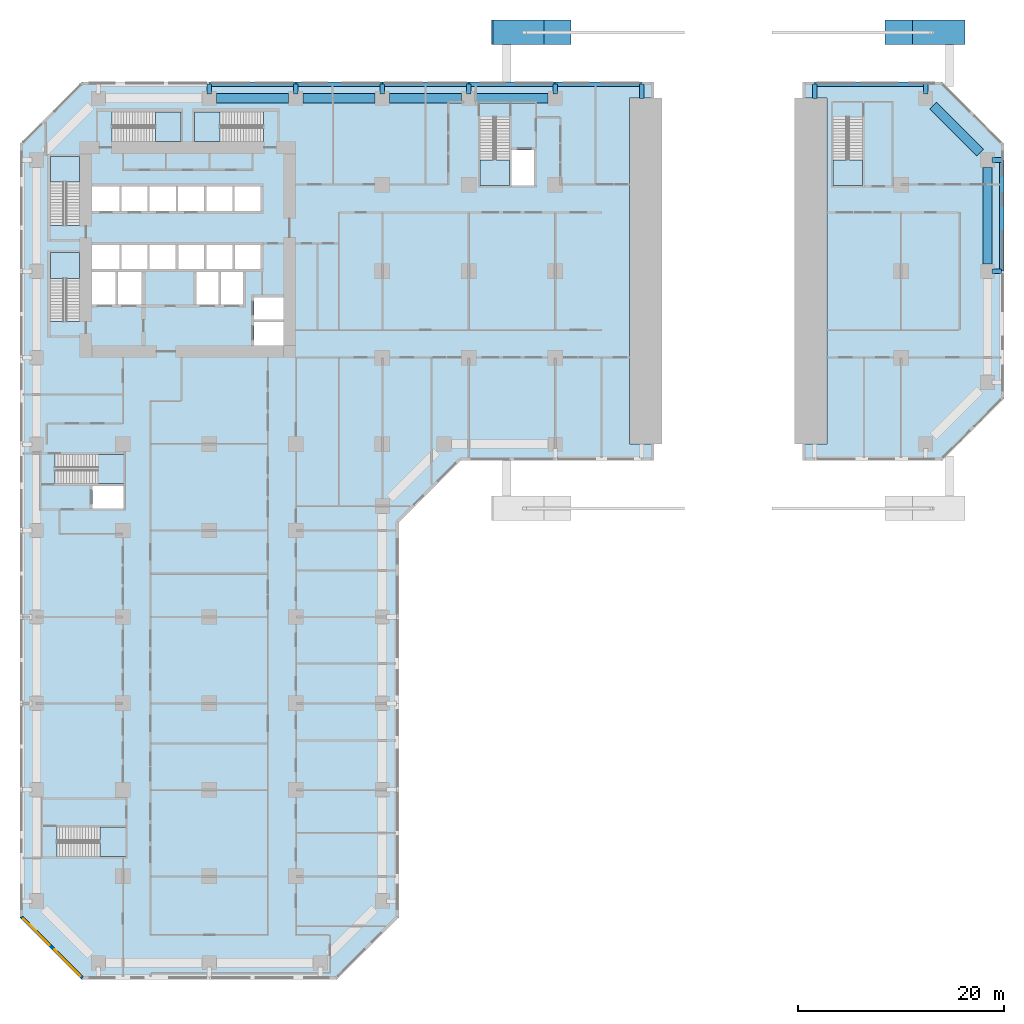
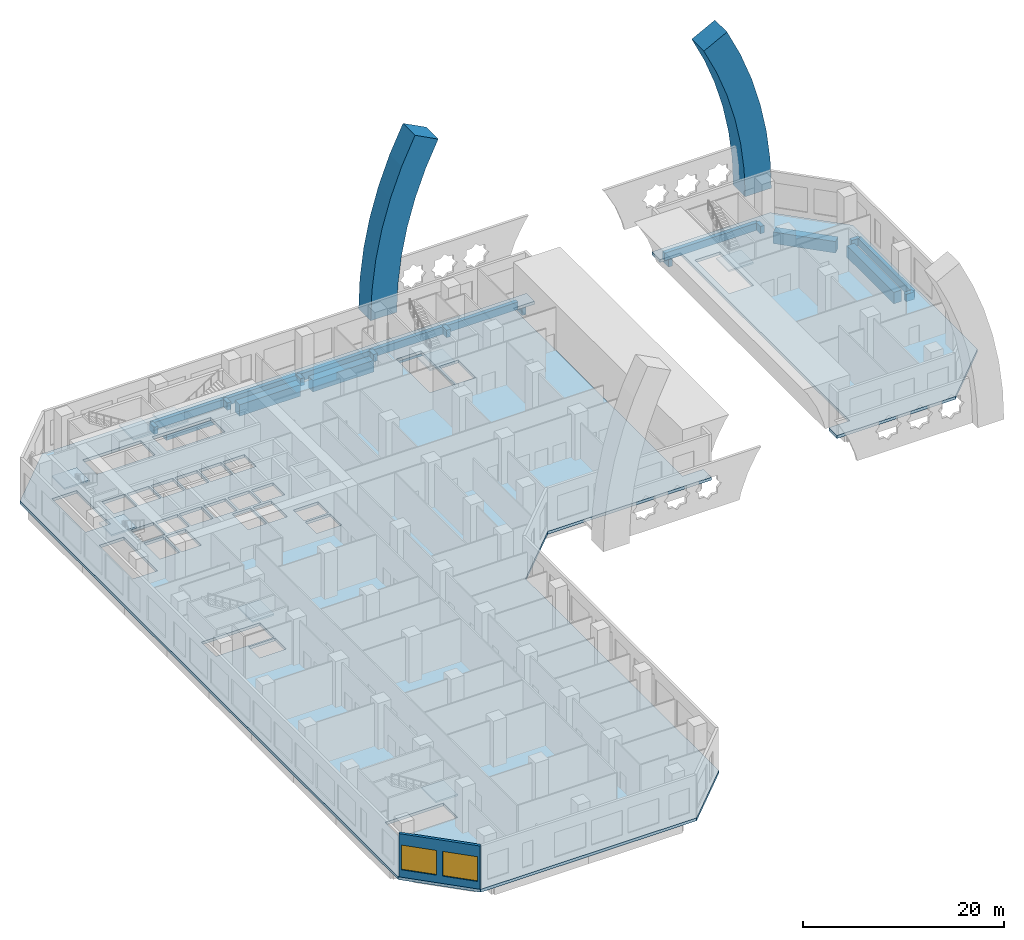
# One storey, part 2 of 19: 23 beams, 10 slabs, 2 members, 2 windows, 1 wall, 2 openings, 8 elements without a shape of their own.
"""IFC4 building model written with IfcOpenShell, lengths in metres."""

from ifc_helpers import new_model, si_unit, direction, frame, frame_2d, origin, origin_2d, place, context, subcontext, project, spatial, polyline, rectangle, outline, extrude, material, layer, layer_set, material_profile, profile_set, type_object, element, fill, aggregate, save


model = new_model("IFC4")

# Units and contexts
model_context = context("Model", 3, precision=1e-05, world=origin(), true_north=direction((0.0, 1.0)))
body_context = subcontext(model_context, "Body", "Model", "MODEL_VIEW")
ifc_project = project(units=[si_unit("LENGTHUNIT", "METRE"), si_unit("AREAUNIT", "SQUARE_METRE"), si_unit("VOLUMEUNIT", "CUBIC_METRE"), si_unit("PLANEANGLEUNIT", "RADIAN"), si_unit("MASSUNIT", "GRAM", prefix="KILO")], contexts=[model_context])

# Site, building, storey
site_placement = place(None, origin())
site = spatial("IfcSite", under=ifc_project, at=site_placement, CompositionType="ELEMENT")
building_placement = place(site_placement, origin())
building = spatial("IfcBuilding", under=site, at=building_placement, Name="Kawkab Arch Medical Tower", CompositionType="ELEMENT")
storey_placement = place(building_placement, frame((0.0, 0.0, 12.60009765625)))
storey = spatial("IfcBuildingStorey", under=building, at=storey_placement, Name="L03", CompositionType="ELEMENT", Elevation=12.60009765625)

# Members
ifc_material_1 = material(Name="Concrete C60/75", Category="concrete")
member_type = type_object("IfcMemberType", Name="Arch rib segment 3000 C60/75", PredefinedType="STRUT", material=ifc_material_1)
placement_1 = place(storey_placement, frame((0.0, 7.60009765625, -12.60009765625), z_axis=(0.0, -1.0, 0.0), x_axis=(1.0, 0.0, 0.0)))
element("IfcMember", 1, at=placement_1, inside=storey, type_object=member_type, Name="Portal arch rib NW", PredefinedType="STRUT", context=body_context, shape_type="SweptSolid", body=[
    extrude(outline(polyline([(47.199951171875, 12.60009765625), (47.33544921875, 15.94970703125), (47.73779296875, 19.27783203125), (48.40673828125, 22.562744140625), (49.33642578125, 25.7841796875), (50.52099609375, 28.920654296875), (51.953369140625, 31.95166015625), (49.29248046875, 33.34228515625), (47.757080078125, 30.093505859375), (46.487548828125, 26.731689453125), (45.4912109375, 23.279296875), (44.774169921875, 19.758056640625), (44.342529296875, 16.190185546875), (44.199951171875, 12.60009765625), (47.199951171875, 12.60009765625)])), origin(), (0.0, 0.0, 1.0), 2.400146484375),
])
element("IfcMember", 2, at=placement_1, inside=storey, type_object=member_type, Name="Portal arch rib NE", PredefinedType="STRUT", context=body_context, shape_type="SweptSolid", body=[
    extrude(outline(polyline([(82.446533203125, 31.95166015625), (83.879150390625, 28.920654296875), (85.0634765625, 25.7841796875), (85.9931640625, 22.562744140625), (86.662109375, 19.27783203125), (87.064697265625, 15.94970703125), (87.199951171875, 12.60009765625), (90.199951171875, 12.60009765625), (90.057373046875, 16.190185546875), (89.6259765625, 19.758056640625), (88.90869140625, 23.279296875), (87.91259765625, 26.731689453125), (86.642822265625, 30.093505859375), (85.107421875, 33.34228515625), (82.446533203125, 31.95166015625)])), origin(), (0.0, 0.0, 1.0), 2.400146484375),
])

# Beams
ifc_material_2 = material(Name="Concrete C60/75", Category="concrete")
ifc_material_profile_1 = material_profile(ifc_material_2, rectangle(XDim=0.449951171875, YDim=0.89990234375, at=origin_2d()), Name="RC 450x900")
ifc_profile_set_1 = profile_set([ifc_material_profile_1], Name="Concrete C60/75")
beam_type_1 = type_object("IfcBeamType", Name="Podium edge beam RC 450x900 C60/75", PredefinedType="BEAM", material=ifc_profile_set_1)
beam_1_placement = place(storey_placement, frame((58.800048828125, 1.375, -0.800048828125), z_axis=(-1.0, 0.0, 0.0), x_axis=(0.0, -1.0, 0.0)))
element("IfcBeam", 3, at=beam_1_placement, inside=storey, type_object=beam_type_1, Name="Podium edge beam L03 R04.1", PredefinedType="BEAM", context=body_context, shape_type="SweptSolid", body=[
    extrude(rectangle(XDim=0.449951171875, YDim=0.89990234375, at=origin_2d()), origin(), (0.0, 0.0, 1.0), 8.400146484375),
])
for number, where, z_axis, x_axis, name in (
    (4, (50.39990234375, 1.375, -0.800048828125), (-1.0, 0.0, 0.0), (0.0, -1.0, 0.0), "Podium edge beam L03 R04.2"),
    (5, (42.0, 1.375, -0.800048828125), (-1.0, 0.0, 0.0), (0.0, -1.0, 0.0), "Podium edge beam L03 R04.3"),
):
    element("IfcBeam", number, at=place(storey_placement, frame(where, z_axis=z_axis, x_axis=x_axis)), inside=storey, type_object=beam_type_1, Name=name, PredefinedType="BEAM", context=body_context, shape_type="SweptSolid", body=[
        extrude(rectangle(XDim=0.449951171875, YDim=0.89990234375, at=origin_2d()), origin(), (0.0, 0.0, 1.0), 8.39990234375),
    ])
beam_2_placement = place(storey_placement, frame((33.60009765625, 1.375, -0.800048828125), z_axis=(-1.0, 0.0, 0.0), x_axis=(0.0, -1.0, 0.0)))
element("IfcBeam", 6, at=beam_2_placement, inside=storey, type_object=beam_type_1, Name="Podium edge beam L03 R04.4", PredefinedType="BEAM", context=body_context, shape_type="SweptSolid", body=[
    extrude(rectangle(XDim=0.449951171875, YDim=0.89990234375, at=origin_2d()), origin(), (0.0, 0.0, 1.0), 8.400146484375),
])
beam_3_placement = place(storey_placement, frame((25.199951171875, 1.375, -0.800048828125), z_axis=(-1.0, 0.0, 0.0), x_axis=(0.0, -1.0, 0.0)))
element("IfcBeam", 7, at=beam_3_placement, inside=storey, type_object=beam_type_1, Name="Podium edge beam L03 R04.5", PredefinedType="BEAM", context=body_context, shape_type="SweptSolid", body=[
    extrude(rectangle(XDim=0.449951171875, YDim=0.89990234375, at=origin_2d()), origin(), (0.0, 0.0, 1.0), 8.39990234375),
])
beam_4_placement = place(storey_placement, frame((58.800048828125, -0.010009765625, -0.800048828125), z_axis=(0.0, 1.0, 0.0), x_axis=(-1.0, 0.0, 0.0)))
element("IfcBeam", 8, at=beam_4_placement, inside=storey, type_object=beam_type_1, Name="Podium cantilever beam L03 R04.1", PredefinedType="BEAM", context=body_context, shape_type="SweptSolid", body=[
    extrude(rectangle(XDim=0.449951171875, YDim=0.89990234375, at=origin_2d()), origin(), (0.0, 0.0, 1.0), 1.385009765625),
])
for number, where, z_axis, x_axis, name in (
    (9, (50.39990234375, 0.425048828125, -0.800048828125), (0.0, 1.0, 0.0), (-1.0, 0.0, 0.0), "Podium cantilever beam L03 R04.2"),
    (10, (42.0, 0.425048828125, -0.800048828125), (0.0, 1.0, 0.0), (-1.0, 0.0, 0.0), "Podium cantilever beam L03 R04.3"),
    (11, (33.60009765625, 0.425048828125, -0.800048828125), (0.0, 1.0, 0.0), (-1.0, 0.0, 0.0), "Podium cantilever beam L03 R04.4"),
    (12, (25.199951171875, 0.425048828125, -0.800048828125), (0.0, 1.0, 0.0), (-1.0, 0.0, 0.0), "Podium cantilever beam L03 R04.5"),
    (13, (16.800048828125, 0.425048828125, -0.800048828125), (0.0, 1.0, 0.0), (-1.0, 0.0, 0.0), "Podium cantilever beam L03 R04.6"),
):
    element("IfcBeam", number, at=place(storey_placement, frame(where, z_axis=z_axis, x_axis=x_axis)), inside=storey, type_object=beam_type_1, Name=name, PredefinedType="BEAM", context=body_context, shape_type="SweptSolid", body=[
        extrude(rectangle(XDim=0.449951171875, YDim=0.89990234375, at=origin_2d()), origin(), (0.0, 0.0, 1.0), 0.949951171875),
    ])
beam_5_placement = place(storey_placement, frame((86.39990234375, 1.375, -0.800048828125), z_axis=(-1.0, 0.0, 0.0), x_axis=(0.0, -1.0, 0.0)))
element("IfcBeam", 14, at=beam_5_placement, inside=storey, type_object=beam_type_1, Name="Podium edge beam L03 R12.1", PredefinedType="BEAM", context=body_context, shape_type="SweptSolid", body=[
    extrude(rectangle(XDim=0.449951171875, YDim=0.89990234375, at=origin_2d()), origin(), (0.0, 0.0, 1.0), 10.7998046875),
])
beam_6_placement = place(storey_placement, frame((86.39990234375, 0.425048828125, -0.800048828125), z_axis=(0.0, 1.0, 0.0), x_axis=(-1.0, 0.0, 0.0)))
element("IfcBeam", 15, at=beam_6_placement, inside=storey, type_object=beam_type_1, Name="Podium cantilever beam L03 R12.1", PredefinedType="BEAM", context=body_context, shape_type="SweptSolid", body=[
    extrude(rectangle(XDim=0.449951171875, YDim=0.89990234375, at=origin_2d()), origin(), (0.0, 0.0, 1.0), 0.949951171875),
])
beam_7_placement = place(storey_placement, frame((75.60009765625, -0.010009765625, -0.800048828125), z_axis=(0.0, 1.0, 0.0), x_axis=(-1.0, 0.0, 0.0)))
element("IfcBeam", 16, at=beam_7_placement, inside=storey, type_object=beam_type_1, Name="Podium cantilever beam L03 R12.2", PredefinedType="BEAM", context=body_context, shape_type="SweptSolid", body=[
    extrude(rectangle(XDim=0.449951171875, YDim=0.89990234375, at=origin_2d()), origin(), (0.0, 0.0, 1.0), 1.385009765625),
])
beam_8_placement = place(storey_placement, frame((93.77490234375, -16.800048828125, -0.800048828125), z_axis=(0.0, 1.0, 0.0), x_axis=(-1.0, 0.0, 0.0)))
element("IfcBeam", 17, at=beam_8_placement, inside=storey, type_object=beam_type_1, Name="Podium edge beam L03 R16.2", PredefinedType="BEAM", context=body_context, shape_type="SweptSolid", body=[
    extrude(rectangle(XDim=0.449951171875, YDim=0.89990234375, at=origin_2d()), origin(), (0.0, 0.0, 1.0), 10.800048828125),
])
for number, where, z_axis, x_axis, name in (
    (18, (92.824951171875, -16.800048828125, -0.800048828125), (1.0, 0.0, 0.0), (0.0, 1.0, 0.0), "Podium cantilever beam L03 R16.2"),
    (19, (92.824951171875, -6.0, -0.800048828125), (1.0, 0.0, 0.0), (0.0, 1.0, 0.0), "Podium cantilever beam L03 R16.3"),
):
    element("IfcBeam", number, at=place(storey_placement, frame(where, z_axis=z_axis, x_axis=x_axis)), inside=storey, type_object=beam_type_1, Name=name, PredefinedType="BEAM", context=body_context, shape_type="SweptSolid", body=[
        extrude(rectangle(XDim=0.449951171875, YDim=0.89990234375, at=origin_2d()), origin(), (0.0, 0.0, 1.0), 0.949951171875),
    ])
ifc_material_3 = material(Name="Concrete C60/75", Category="concrete")
ifc_material_profile_2 = material_profile(ifc_material_3, rectangle(XDim=0.89990234375, YDim=1.39990234375, at=origin_2d()), Name="RC 900x1400")
ifc_profile_set_2 = profile_set([ifc_material_profile_2], Name="Concrete C60/75")
beam_type_2 = type_object("IfcBeamType", Name="RC 900x1400 beam C60/75", PredefinedType="BEAM", material=ifc_profile_set_2)
beam_9_placement = place(storey_placement, frame((92.39990234375, -16.10009765625, -1.050048828125), z_axis=(0.0, 1.0, 0.0), x_axis=(-1.0, 0.0, 0.0)))
element("IfcBeam", 20, at=beam_9_placement, inside=storey, type_object=beam_type_2, Name="Podium edge beam L03-21", PredefinedType="BEAM", context=body_context, shape_type="SweptSolid", body=[
    extrude(rectangle(XDim=0.89990234375, YDim=1.39990234375, at=origin_2d()), origin(), (0.0, 0.0, 1.0), 9.375),
])
beam_10_placement = place(storey_placement, frame((91.675048828125, -5.27490234375, -1.050048828125), z_axis=(-0.707125751951, 0.707087809913, 0.0), x_axis=(-0.707087809913, -0.707125751951, 0.0)))
element("IfcBeam", 21, at=beam_10_placement, inside=storey, type_object=beam_type_2, Name="Podium edge beam L03-22", PredefinedType="BEAM", context=body_context, shape_type="SweptSolid", body=[
    extrude(rectangle(XDim=0.89990234375, YDim=1.39990234375, at=origin_2d()), origin(), (0.0, 0.0, 1.0), 6.4345703125),
])
for number, where, z_axis, x_axis, name in (
    (22, (49.699951171875, 0.0, -1.050048828125), (-1.0, 0.0, 0.0), (0.0, -1.0, 0.0), "Podium edge beam L03-23"),
    (23, (41.300048828125, 0.0, -1.050048828125), (-1.0, 0.0, 0.0), (0.0, -1.0, 0.0), "Podium edge beam L03-24"),
    (24, (32.89990234375, 0.0, -1.050048828125), (-1.0, 0.0, 0.0), (0.0, -1.0, 0.0), "Podium edge beam L03-25"),
    (25, (24.5, 0.0, -1.050048828125), (-1.0, 0.0, 0.0), (0.0, -1.0, 0.0), "Podium edge beam L03-26"),
):
    element("IfcBeam", number, at=place(storey_placement, frame(where, z_axis=z_axis, x_axis=x_axis)), inside=storey, type_object=beam_type_2, Name=name, PredefinedType="BEAM", context=body_context, shape_type="SweptSolid", body=[
        extrude(rectangle(XDim=0.89990234375, YDim=1.39990234375, at=origin_2d()), origin(), (0.0, 0.0, 1.0), 7.0),
    ])

# Stair, slab
ifc_material_4 = material(Name="Concrete C40/50", Category="concrete")
stair_type = type_object("IfcStairType", Name="Exit stair 1350", PredefinedType="HALF_TURN_STAIR", material=ifc_material_4)
placement_2 = place(storey_placement, origin())
stair_1 = element("IfcStair", 26, at=placement_2, inside=storey, type_object=stair_type, Name="L03 Exit stair ST1", PredefinedType="HALF_TURN_STAIR")
ifc_material_5 = material(Name="Concrete C40/50", Category="concrete")
ifc_layer_1 = layer(ifc_material_5, 0.199951171875)
ifc_layer_set_1 = layer_set([ifc_layer_1], Name="Concrete C40/50")
slab_type_1 = type_object("IfcSlabType", Name="Exit stair landing 200", PredefinedType="LANDING", material=ifc_layer_set_1)
placement_3 = place(storey_placement, frame((0.0, 0.0, 2.599853515625)))
slab_1 = element("IfcSlab", 27, at=placement_3, type_object=slab_type_1, Name="ST1 landing 1", PredefinedType="LANDING", context=body_context, shape_type="SweptSolid", body=[
    extrude(outline(polyline([(4.199951171875, -8.14990234375), (4.199951171875, -5.64990234375), (1.35009765625, -5.64990234375), (1.35009765625, -8.14990234375), (4.199951171875, -8.14990234375)])), origin(), (0.0, 0.0, 1.0), 0.199951171875),
])
aggregate(stair_1, [slab_1])

stair_2 = element("IfcStair", 28, at=placement_2, inside=storey, type_object=stair_type, Name="L03 Exit stair ST10", PredefinedType="HALF_TURN_STAIR")
slab_2 = element("IfcSlab", 29, at=placement_3, type_object=slab_type_1, Name="ST10 landing 1", PredefinedType="LANDING", context=body_context, shape_type="SweptSolid", body=[
    extrude(outline(polyline([(6.175048828125, -73.64990234375), (8.675048828125, -73.64990234375), (8.675048828125, -70.800048828125), (6.175048828125, -70.800048828125), (6.175048828125, -73.64990234375)])), origin(), (0.0, 0.0, 1.0), 0.199951171875),
])
aggregate(stair_2, [slab_2])

stair_3 = element("IfcStair", 30, at=placement_2, inside=storey, type_object=stair_type, Name="L03 Exit stair ST2", PredefinedType="HALF_TURN_STAIR")
slab_3 = element("IfcSlab", 31, at=placement_3, type_object=slab_type_1, Name="ST2 landing 1", PredefinedType="LANDING", context=body_context, shape_type="SweptSolid", body=[
    extrude(outline(polyline([(4.199951171875, -17.5), (4.199951171875, -15.0), (1.35009765625, -15.0), (1.35009765625, -17.5), (4.199951171875, -17.5)])), origin(), (0.0, 0.0, 1.0), 0.199951171875),
])
aggregate(stair_3, [slab_3])

stair_4 = element("IfcStair", 32, at=placement_2, inside=storey, type_object=stair_type, Name="L03 Exit stair ST3", PredefinedType="HALF_TURN_STAIR")
slab_4 = element("IfcSlab", 33, at=placement_3, type_object=slab_type_1, Name="ST3 landing 1", PredefinedType="LANDING", context=body_context, shape_type="SweptSolid", body=[
    extrude(outline(polyline([(11.550048828125, -4.199951171875), (14.050048828125, -4.199951171875), (14.050048828125, -1.35009765625), (11.550048828125, -1.35009765625), (11.550048828125, -4.199951171875)])), origin(), (0.0, 0.0, 1.0), 0.199951171875),
])
aggregate(stair_4, [slab_4])

stair_5 = element("IfcStair", 34, at=placement_2, inside=storey, type_object=stair_type, Name="L03 Exit stair ST4", PredefinedType="HALF_TURN_STAIR")
slab_5 = element("IfcSlab", 35, at=placement_3, type_object=slab_type_1, Name="ST4 landing 1", PredefinedType="LANDING", context=body_context, shape_type="SweptSolid", body=[
    extrude(outline(polyline([(17.85009765625, -1.35009765625), (15.35009765625, -1.35009765625), (15.35009765625, -4.199951171875), (17.85009765625, -4.199951171875), (17.85009765625, -1.35009765625)])), origin(), (0.0, 0.0, 1.0), 0.199951171875),
])
aggregate(stair_5, [slab_5])

stair_6 = element("IfcStair", 36, at=placement_2, inside=storey, type_object=stair_type, Name="L03 Exit stair ST5", PredefinedType="HALF_TURN_STAIR")
slab_6 = element("IfcSlab", 37, at=placement_3, type_object=slab_type_1, Name="ST5 landing 1", PredefinedType="LANDING", context=body_context, shape_type="SweptSolid", body=[
    extrude(outline(polyline([(43.10009765625, -6.0), (43.10009765625, -8.5), (45.949951171875, -8.5), (45.949951171875, -6.0), (43.10009765625, -6.0)])), origin(), (0.0, 0.0, 1.0), 0.199951171875),
])
aggregate(stair_6, [slab_6])

stair_7 = element("IfcStair", 38, at=placement_2, inside=storey, type_object=stair_type, Name="L03 Exit stair ST6", PredefinedType="HALF_TURN_STAIR")
slab_7 = element("IfcSlab", 39, at=placement_3, type_object=slab_type_1, Name="ST6 landing 1", PredefinedType="LANDING", context=body_context, shape_type="SweptSolid", body=[
    extrude(outline(polyline([(6.0, -37.449951171875), (8.5, -37.449951171875), (8.5, -34.60009765625), (6.0, -34.60009765625), (6.0, -37.449951171875)])), origin(), (0.0, 0.0, 1.0), 0.199951171875),
])
aggregate(stair_7, [slab_7])

stair_8 = element("IfcStair", 40, at=placement_2, inside=storey, type_object=stair_type, Name="L03 Exit stair ST7", PredefinedType="HALF_TURN_STAIR")
slab_8 = element("IfcSlab", 41, at=placement_3, type_object=slab_type_1, Name="ST7 landing 1", PredefinedType="LANDING", context=body_context, shape_type="SweptSolid", body=[
    extrude(outline(polyline([(77.39990234375, -6.0), (77.39990234375, -8.5), (80.25, -8.5), (80.25, -6.0), (77.39990234375, -6.0)])), origin(), (0.0, 0.0, 1.0), 0.199951171875),
])
aggregate(stair_8, [slab_8])

# Slabs
ifc_material_6 = material(Name="Concrete C40/50", Category="concrete")
ifc_layer_2 = layer(ifc_material_6, 0.35009765625)
ifc_layer_set_2 = layer_set([ifc_layer_2], Name="Concrete C40/50")
slab_type_2 = type_object("IfcSlabType", Name="Flat plate 350 C40/50", PredefinedType="FLOOR", material=ifc_layer_set_2)
placement_4 = place(storey_placement, frame((0.0, 0.0, -0.35009765625)))
element("IfcSlab", 42, at=placement_4, inside=storey, type_object=slab_type_2, Name="Floor slab L03", PredefinedType="FLOOR", context=body_context, shape_type="SweptSolid", body=[
    extrude(outline(polyline([(29.199951171875, -85.60009765625), (4.39990234375, -85.60009765625), (-1.60009765625, -79.60009765625), (-1.60009765625, -4.39990234375), (4.39990234375, 1.60009765625), (60.0, 1.60009765625), (60.0, 0.0), (57.60009765625, 0.0), (57.60009765625, -33.60009765625), (60.0, -33.60009765625), (60.0, -35.199951171875), (41.199951171875, -35.199951171875), (35.199951171875, -41.199951171875), (35.199951171875, -79.60009765625), (29.199951171875, -85.60009765625)]), holes=[polyline([(8.675048828125, -70.800048828125), (1.97509765625, -70.800048828125), (1.97509765625, -73.64990234375), (8.675048828125, -73.64990234375), (8.675048828125, -70.800048828125)]), polyline([(5.425048828125, -37.64990234375), (5.425048828125, -39.85009765625), (8.5, -39.85009765625), (8.5, -37.64990234375), (5.425048828125, -37.64990234375)]), polyline([(8.5, -37.449951171875), (8.5, -34.60009765625), (1.800048828125, -34.60009765625), (1.800048828125, -37.449951171875), (8.5, -37.449951171875)]), polyline([(5.39990234375, -20.050048828125), (7.675048828125, -20.050048828125), (7.675048828125, -16.89990234375), (5.39990234375, -16.89990234375), (5.39990234375, -20.050048828125)]), polyline([(10.199951171875, -16.89990234375), (7.925048828125, -16.89990234375), (7.925048828125, -20.050048828125), (10.199951171875, -20.050048828125), (10.199951171875, -16.89990234375)]), polyline([(4.199951171875, -15.0), (1.35009765625, -15.0), (1.35009765625, -21.699951171875), (4.199951171875, -21.699951171875), (4.199951171875, -15.0)]), polyline([(5.39990234375, -16.60009765625), (8.050048828125, -16.60009765625), (8.050048828125, -14.25), (5.39990234375, -14.25), (5.39990234375, -16.60009765625)]), polyline([(10.800048828125, -16.60009765625), (10.800048828125, -14.25), (8.25, -14.25), (8.25, -16.60009765625), (10.800048828125, -16.60009765625)]), polyline([(13.52490234375, -14.25), (11.0, -14.25), (11.0, -16.60009765625), (13.52490234375, -16.60009765625), (13.52490234375, -14.25)]), polyline([(5.39990234375, -10.949951171875), (8.050048828125, -10.949951171875), (8.050048828125, -8.60009765625), (5.39990234375, -8.60009765625), (5.39990234375, -10.949951171875)]), polyline([(10.800048828125, -10.949951171875), (10.800048828125, -8.60009765625), (8.25, -8.60009765625), (8.25, -10.949951171875), (10.800048828125, -10.949951171875)]), polyline([(11.0, -8.60009765625), (11.0, -10.949951171875), (13.550048828125, -10.949951171875), (13.550048828125, -8.60009765625), (11.0, -8.60009765625)]), polyline([(4.199951171875, -5.64990234375), (1.35009765625, -5.64990234375), (1.35009765625, -12.35009765625), (4.199951171875, -12.35009765625), (4.199951171875, -5.64990234375)]), polyline([(14.050048828125, -4.199951171875), (14.050048828125, -1.35009765625), (7.35009765625, -1.35009765625), (7.35009765625, -4.199951171875), (14.050048828125, -4.199951171875)]), polyline([(21.14990234375, -21.72509765625), (21.14990234375, -24.0), (24.0, -24.0), (24.0, -21.72509765625), (21.14990234375, -21.72509765625)]), polyline([(24.0, -19.35009765625), (21.14990234375, -19.35009765625), (21.14990234375, -21.47509765625), (24.0, -21.47509765625), (24.0, -19.35009765625)]), polyline([(17.675048828125, -16.89990234375), (15.52490234375, -16.89990234375), (15.52490234375, -20.050048828125), (17.675048828125, -20.050048828125), (17.675048828125, -16.89990234375)]), polyline([(20.050048828125, -16.89990234375), (17.925048828125, -16.89990234375), (17.925048828125, -20.050048828125), (20.050048828125, -20.050048828125), (20.050048828125, -16.89990234375)]), polyline([(16.27490234375, -16.60009765625), (16.27490234375, -14.25), (13.77490234375, -14.25), (13.77490234375, -16.60009765625), (16.27490234375, -16.60009765625)]), polyline([(19.02490234375, -16.60009765625), (19.02490234375, -14.25), (16.52490234375, -14.25), (16.52490234375, -16.60009765625), (19.02490234375, -16.60009765625)]), polyline([(21.75, -14.25), (19.27490234375, -14.25), (19.27490234375, -16.60009765625), (21.75, -16.60009765625), (21.75, -14.25)]), polyline([(13.75, -8.60009765625), (13.75, -10.949951171875), (16.300048828125, -10.949951171875), (16.300048828125, -8.60009765625), (13.75, -8.60009765625)]), polyline([(19.050048828125, -8.60009765625), (16.5, -8.60009765625), (16.5, -10.949951171875), (19.050048828125, -10.949951171875), (19.050048828125, -8.60009765625)]), polyline([(19.25, -8.60009765625), (19.25, -10.949951171875), (21.75, -10.949951171875), (21.75, -8.60009765625), (19.25, -8.60009765625)]), polyline([(46.14990234375, -8.5), (48.35009765625, -8.5), (48.35009765625, -5.02490234375), (46.14990234375, -5.02490234375), (46.14990234375, -8.5)]), polyline([(43.10009765625, -8.5), (45.949951171875, -8.5), (45.949951171875, -1.800048828125), (43.10009765625, -1.800048828125), (43.10009765625, -8.5)]), polyline([(15.35009765625, -1.35009765625), (15.35009765625, -4.199951171875), (22.050048828125, -4.199951171875), (22.050048828125, -1.35009765625), (15.35009765625, -1.35009765625)])]), origin(), (0.0, 0.0, 1.0), 0.35009765625),
])
element("IfcSlab", 43, at=placement_4, inside=storey, type_object=slab_type_2, Name="Floor slab L03 part 2", PredefinedType="FLOOR", context=body_context, shape_type="SweptSolid", body=[
    extrude(outline(polyline([(88.0, -35.199951171875), (74.39990234375, -35.199951171875), (74.39990234375, -33.60009765625), (76.800048828125, -33.60009765625), (76.800048828125, 0.0), (74.39990234375, 0.0), (74.39990234375, 1.60009765625), (88.0, 1.60009765625), (94.0, -4.39990234375), (94.0, -29.199951171875), (88.0, -35.199951171875)]), holes=[polyline([(77.39990234375, -8.5), (80.25, -8.5), (80.25, -1.800048828125), (77.39990234375, -1.800048828125), (77.39990234375, -8.5)])]), origin(), (0.0, 0.0, 1.0), 0.35009765625),
])

# Wall, openings, windows
ifc_material_7 = material(Name="Bronze clad insulated wall panel")
ifc_layer_3 = layer(ifc_material_7, 0.300048828125)
ifc_layer_set_3 = layer_set([ifc_layer_3], Name="Bronze clad insulated wall panel")
wall_type = type_object("IfcWallType", Name="Podium external wall 300", PredefinedType="SOLIDWALL", material=ifc_layer_set_3)
wall_placement = place(storey_placement, frame((-1.449951171875, -79.537841796875, 0.0), z_axis=(0.0, 0.0, 1.0), x_axis=(0.707106781187, -0.707106781187, 0.0)))
wall = element("IfcWall", 44, at=wall_placement, inside=storey, type_object=wall_type, Name="Podium external wall L03 R08", PredefinedType="SOLIDWALL", context=body_context, shape_type="SweptSolid", body=[
    extrude(rectangle(XDim=8.361083984375, YDim=0.300048828125, at=frame_2d((4.1806640625, 0.0))), origin(), (0.0, 0.0, 1.0), 5.25),
])
opening_1_placement = place(wall_placement, frame((0.259033203125, 0.0, 0.89990234375)))
opening_1 = element("IfcOpeningElement", 45, at=opening_1_placement, cuts=wall, Name="Opening PBW360-30-S9", PredefinedType="OPENING", context=body_context, shape_type="SweptSolid", body=[
    extrude(rectangle(XDim=3.60009765625, YDim=3.0, at=frame_2d((1.800048828125, 1.5))), frame((0.0, 0.159912109375, 0.0), z_axis=(0.0, -1.0, 0.0), x_axis=(1.0, 0.0, 0.0)), (0.0, 0.0, 1.0), 0.320068359375),
])
opening_2_placement = place(wall_placement, frame((4.501708984375, 0.0, 0.89990234375)))
opening_2 = element("IfcOpeningElement", 46, at=opening_2_placement, cuts=wall, Name="Opening PBW360-30-S9", PredefinedType="OPENING", context=body_context, shape_type="SweptSolid", body=[
    extrude(rectangle(XDim=3.60009765625, YDim=3.0, at=frame_2d((1.800048828125, 1.5))), frame((0.0, 0.159912109375, 0.0), z_axis=(0.0, -1.0, 0.0), x_axis=(1.0, 0.0, 0.0)), (0.0, 0.0, 1.0), 0.320068359375),
])
ifc_material_8 = material(Name="Bronze anodised aluminium louvred window", Category="aluminium")
window_type = type_object("IfcWindowType", Name="Podium band window 3600 x 3000 sill 900", PartitioningType="DOUBLE_PANEL_VERTICAL", PredefinedType="WINDOW", material=ifc_material_8)
window_1_placement = place(opening_1_placement, origin())
window_1 = element("IfcWindow", 47, at=window_1_placement, inside=storey, type_object=window_type, Name="Band window L03 R08.1", OverallHeight=3.0, OverallWidth=3.60009765625, PartitioningType="SINGLE_PANEL", PredefinedType="WINDOW", context=body_context, shape_type="SweptSolid", body=[
    extrude(rectangle(XDim=3.60009765625, YDim=3.0, at=frame_2d((1.800048828125, 1.5))), frame((0.0, 0.030029296875, 0.0), z_axis=(0.0, -1.0, 0.0), x_axis=(1.0, 0.0, 0.0)), (0.0, 0.0, 1.0), 0.06005859375),
])
fill(opening_1, window_1)
window_2_placement = place(opening_2_placement, origin())
window_2 = element("IfcWindow", 48, at=window_2_placement, inside=storey, type_object=window_type, Name="Band window L03 R08.2", OverallHeight=3.0, OverallWidth=3.60009765625, PartitioningType="SINGLE_PANEL", PredefinedType="WINDOW", context=body_context, shape_type="SweptSolid", body=[
    extrude(rectangle(XDim=3.60009765625, YDim=3.0, at=frame_2d((1.800048828125, 1.5))), frame((0.0, 0.030029296875, 0.0), z_axis=(0.0, -1.0, 0.0), x_axis=(1.0, 0.0, 0.0)), (0.0, 0.0, 1.0), 0.06005859375),
])
fill(opening_2, window_2)

save(model, "model.ifc")
